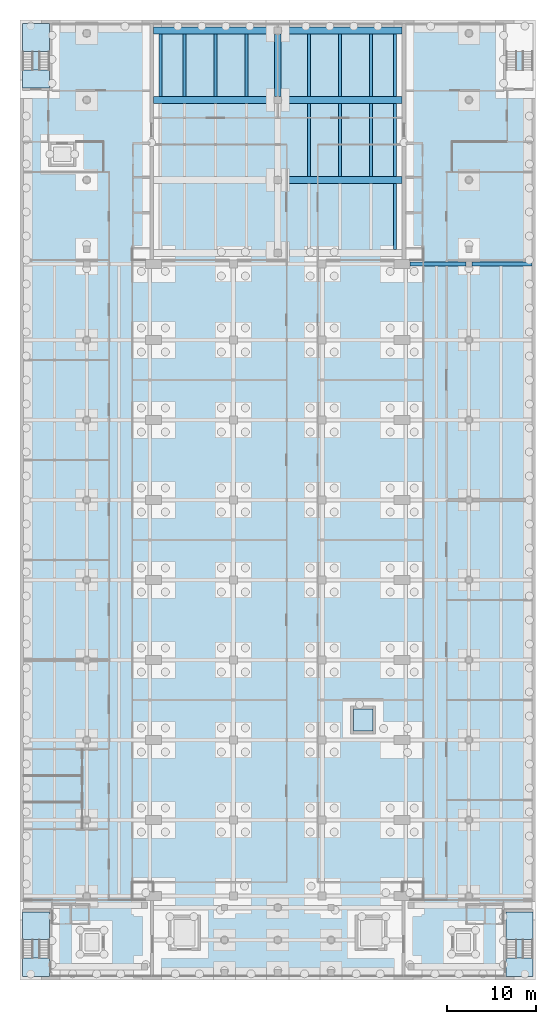
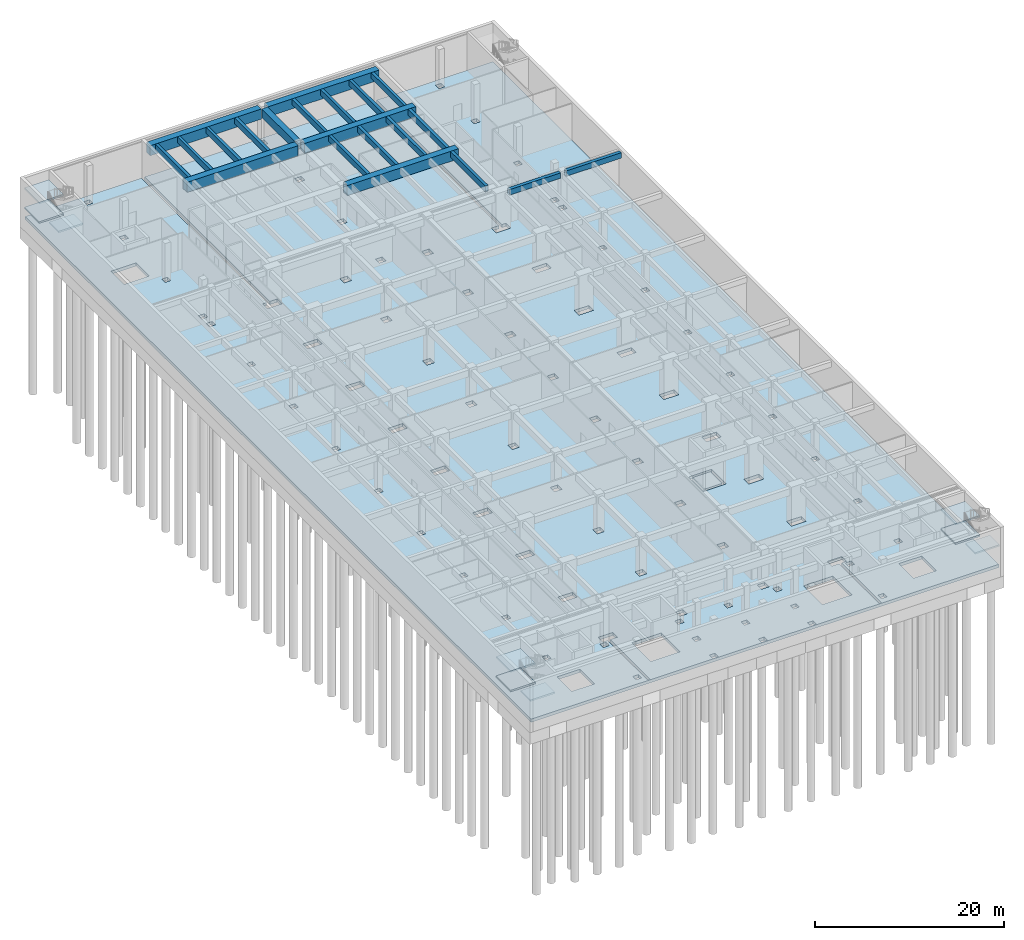
# One storey, part 6 of 19: 21 beams, 11 slabs, 3 elements without a shape of their own.
"""IFC4 building model written with IfcOpenShell, lengths in metres."""

from ifc_helpers import new_model, si_unit, direction, frame, origin, origin_2d, place, context, subcontext, project, spatial, polyline, rectangle, outline, extrude, material, layer, layer_set, material_profile, profile_set, type_object, element, aggregate, save


model = new_model("IFC4")

# Units and contexts
model_context = context("Model", 3, precision=1e-05, world=origin(), true_north=direction((0.0, 1.0)))
body_context = subcontext(model_context, "Body", "Model", "MODEL_VIEW")
ifc_project = project(units=[si_unit("LENGTHUNIT", "METRE"), si_unit("AREAUNIT", "SQUARE_METRE"), si_unit("VOLUMEUNIT", "CUBIC_METRE"), si_unit("PLANEANGLEUNIT", "RADIAN"), si_unit("MASSUNIT", "GRAM", prefix="KILO")], contexts=[model_context])

# Site, building, storey
site_placement = place(None, origin())
site = spatial("IfcSite", under=ifc_project, at=site_placement, CompositionType="ELEMENT")
building_placement = place(site_placement, origin())
building = spatial("IfcBuilding", under=site, at=building_placement, Name="Elmora Arch Market Hall", CompositionType="ELEMENT")
storey_placement = place(building_placement, frame((0.0, 0.0, -10.0)))
storey = spatial("IfcBuildingStorey", under=building, at=storey_placement, Name="B1", CompositionType="ELEMENT", Elevation=-10.0)

# Beams
ifc_material_1 = material(Name="Concrete C32/40", Category="concrete")
ifc_material_profile_1 = material_profile(ifc_material_1, rectangle(XDim=0.800048828125, YDim=1.300048828125, at=origin_2d()), Name="Bridge girder 800x1300")
ifc_profile_set_1 = profile_set([ifc_material_profile_1], Name="Concrete C32/40")
beam_type_1 = type_object("IfcBeamType", Name="Bridge girder 800x1300", PredefinedType="BEAM", material=ifc_profile_set_1)
for number, where, z_axis, x_axis, name in (
    (1, (29.39990234375, 108.0, 4.10009765625), (1.0, 0.0, 0.0), (0.0, 1.0, 0.0), "Bridge girder NR2 B1.2"),
    (2, (15.0, 117.0, 4.10009765625), (1.0, 0.0, 0.0), (0.0, 1.0, 0.0), "Bridge girder NR3 B1.1"),
    (3, (29.39990234375, 117.0, 4.10009765625), (1.0, 0.0, 0.0), (0.0, 1.0, 0.0), "Bridge girder NR3 B1.2"),
    (4, (15.0, 124.800048828125, 4.10009765625), (1.0, 0.0, 0.0), (0.0, 1.0, 0.0), "Bridge girder NR4 B1.1"),
    (5, (29.39990234375, 124.800048828125, 4.10009765625), (1.0, 0.0, 0.0), (0.0, 1.0, 0.0), "Bridge girder NR4 B1.2"),
):
    element("IfcBeam", number, at=place(storey_placement, frame(where, z_axis=z_axis, x_axis=x_axis)), inside=storey, type_object=beam_type_1, Name=name, PredefinedType="BEAM", context=body_context, shape_type="SweptSolid", body=[
        extrude(rectangle(XDim=0.800048828125, YDim=1.300048828125, at=origin_2d()), origin(), (0.0, 0.0, 1.0), 13.60009765625),
    ])
ifc_material_2 = material(Name="Concrete C32/40", Category="concrete")
ifc_material_profile_2 = material_profile(ifc_material_2, rectangle(XDim=0.35009765625, YDim=0.75, at=origin_2d()), Name="Bridge joist 350x750")
ifc_profile_set_2 = profile_set([ifc_material_profile_2], Name="Concrete C32/40")
beam_type_2 = type_object("IfcBeamType", Name="Bridge joist 350x750", PredefinedType="JOIST", material=ifc_profile_set_2)
for number, where, z_axis, x_axis, name in (
    (6, (15.800048828125, 117.39990234375, 4.375), (0.0, 1.0, 0.0), (-1.0, 0.0, 0.0), "Bridge joist NJ1 B1.3"),
    (7, (18.5, 117.39990234375, 4.375), (0.0, 1.0, 0.0), (-1.0, 0.0, 0.0), "Bridge joist NJ2 B1.3"),
    (8, (22.0, 117.39990234375, 4.375), (0.0, 1.0, 0.0), (-1.0, 0.0, 0.0), "Bridge joist NJ3 B1.3"),
    (9, (25.5, 117.39990234375, 4.375), (0.0, 1.0, 0.0), (-1.0, 0.0, 0.0), "Bridge joist NJ4 B1.3"),
):
    element("IfcBeam", number, at=place(storey_placement, frame(where, z_axis=z_axis, x_axis=x_axis)), inside=storey, type_object=beam_type_2, Name=name, PredefinedType="JOIST", context=body_context, shape_type="SweptSolid", body=[
        extrude(rectangle(XDim=0.35009765625, YDim=0.75, at=origin_2d()), origin(), (0.0, 0.0, 1.0), 7.0),
    ])
beam_1_placement = place(storey_placement, frame((32.5, 108.39990234375, 4.375), z_axis=(0.0, 1.0, 0.0), x_axis=(-1.0, 0.0, 0.0)))
element("IfcBeam", 10, at=beam_1_placement, inside=storey, type_object=beam_type_2, Name="Bridge joist NJ5 B1.2", PredefinedType="JOIST", context=body_context, shape_type="SweptSolid", body=[
    extrude(rectangle(XDim=0.35009765625, YDim=0.75, at=origin_2d()), origin(), (0.0, 0.0, 1.0), 8.2001953125),
])
beam_2_placement = place(storey_placement, frame((32.5, 117.39990234375, 4.375), z_axis=(0.0, 1.0, 0.0), x_axis=(-1.0, 0.0, 0.0)))
element("IfcBeam", 11, at=beam_2_placement, inside=storey, type_object=beam_type_2, Name="Bridge joist NJ5 B1.3", PredefinedType="JOIST", context=body_context, shape_type="SweptSolid", body=[
    extrude(rectangle(XDim=0.35009765625, YDim=0.75, at=origin_2d()), origin(), (0.0, 0.0, 1.0), 7.0),
])
beam_3_placement = place(storey_placement, frame((36.0, 108.39990234375, 4.375), z_axis=(0.0, 1.0, 0.0), x_axis=(-1.0, 0.0, 0.0)))
element("IfcBeam", 12, at=beam_3_placement, inside=storey, type_object=beam_type_2, Name="Bridge joist NJ6 B1.2", PredefinedType="JOIST", context=body_context, shape_type="SweptSolid", body=[
    extrude(rectangle(XDim=0.35009765625, YDim=0.75, at=origin_2d()), origin(), (0.0, 0.0, 1.0), 8.2001953125),
])
beam_4_placement = place(storey_placement, frame((36.0, 117.39990234375, 4.375), z_axis=(0.0, 1.0, 0.0), x_axis=(-1.0, 0.0, 0.0)))
element("IfcBeam", 13, at=beam_4_placement, inside=storey, type_object=beam_type_2, Name="Bridge joist NJ6 B1.3", PredefinedType="JOIST", context=body_context, shape_type="SweptSolid", body=[
    extrude(rectangle(XDim=0.35009765625, YDim=0.75, at=origin_2d()), origin(), (0.0, 0.0, 1.0), 7.0),
])
beam_5_placement = place(storey_placement, frame((39.5, 108.39990234375, 4.375), z_axis=(0.0, 1.0, 0.0), x_axis=(-1.0, 0.0, 0.0)))
element("IfcBeam", 14, at=beam_5_placement, inside=storey, type_object=beam_type_2, Name="Bridge joist NJ7 B1.2", PredefinedType="JOIST", context=body_context, shape_type="SweptSolid", body=[
    extrude(rectangle(XDim=0.35009765625, YDim=0.75, at=origin_2d()), origin(), (0.0, 0.0, 1.0), 8.2001953125),
])
beam_6_placement = place(storey_placement, frame((39.5, 117.39990234375, 4.375), z_axis=(0.0, 1.0, 0.0), x_axis=(-1.0, 0.0, 0.0)))
element("IfcBeam", 15, at=beam_6_placement, inside=storey, type_object=beam_type_2, Name="Bridge joist NJ7 B1.3", PredefinedType="JOIST", context=body_context, shape_type="SweptSolid", body=[
    extrude(rectangle(XDim=0.35009765625, YDim=0.75, at=origin_2d()), origin(), (0.0, 0.0, 1.0), 7.0),
])
beam_7_placement = place(storey_placement, frame((42.199951171875, 100.199951171875, 4.375), z_axis=(0.0, 1.0, 0.0), x_axis=(-1.0, 0.0, 0.0)))
element("IfcBeam", 16, at=beam_7_placement, inside=storey, type_object=beam_type_2, Name="Bridge joist NJ8 B1.1", PredefinedType="JOIST", context=body_context, shape_type="SweptSolid", body=[
    extrude(rectangle(XDim=0.35009765625, YDim=0.75, at=origin_2d()), origin(), (0.0, 0.0, 1.0), 7.400146484375),
])
beam_8_placement = place(storey_placement, frame((42.199951171875, 108.39990234375, 4.375), z_axis=(0.0, 1.0, 0.0), x_axis=(-1.0, 0.0, 0.0)))
element("IfcBeam", 17, at=beam_8_placement, inside=storey, type_object=beam_type_2, Name="Bridge joist NJ8 B1.2", PredefinedType="JOIST", context=body_context, shape_type="SweptSolid", body=[
    extrude(rectangle(XDim=0.35009765625, YDim=0.75, at=origin_2d()), origin(), (0.0, 0.0, 1.0), 8.2001953125),
])
beam_9_placement = place(storey_placement, frame((42.199951171875, 117.39990234375, 4.375), z_axis=(0.0, 1.0, 0.0), x_axis=(-1.0, 0.0, 0.0)))
element("IfcBeam", 18, at=beam_9_placement, inside=storey, type_object=beam_type_2, Name="Bridge joist NJ8 B1.3", PredefinedType="JOIST", context=body_context, shape_type="SweptSolid", body=[
    extrude(rectangle(XDim=0.35009765625, YDim=0.75, at=origin_2d()), origin(), (0.0, 0.0, 1.0), 7.0),
])
ifc_material_3 = material(Name="Concrete C32/40", Category="concrete")
ifc_material_profile_3 = material_profile(ifc_material_3, rectangle(XDim=0.699951171875, YDim=1.10009765625, at=origin_2d()), Name="Spine girder 700x1100")
ifc_profile_set_3 = profile_set([ifc_material_profile_3], Name="Concrete C32/40")
beam_type_3 = type_object("IfcBeamType", Name="Spine girder 700x1100", PredefinedType="BEAM", material=ifc_profile_set_3)
beam_10_placement = place(storey_placement, frame((29.0, 117.39990234375, 4.199951171875), z_axis=(0.0, 1.0, 0.0), x_axis=(-1.0, 0.0, 0.0)))
element("IfcBeam", 19, at=beam_10_placement, inside=storey, type_object=beam_type_3, Name="Spine girder NSP B1.3", PredefinedType="BEAM", context=body_context, shape_type="SweptSolid", body=[
    extrude(rectangle(XDim=0.699951171875, YDim=1.10009765625, at=origin_2d()), origin(), (0.0, 0.0, 1.0), 7.0),
])
ifc_material_4 = material(Name="Concrete C32/40", Category="concrete")
ifc_material_profile_4 = material_profile(ifc_material_4, rectangle(XDim=0.39990234375, YDim=0.699951171875, at=origin_2d()), Name="Wing beam 400x700")
ifc_profile_set_4 = profile_set([ifc_material_profile_4], Name="Concrete C32/40")
beam_type_4 = type_object("IfcBeamType", Name="Wing beam 400x700", PredefinedType="BEAM", material=ifc_profile_set_4)
beam_11_placement = place(storey_placement, frame((43.89990234375, 98.550048828125, 4.39990234375), z_axis=(1.0, 0.0, 0.0), x_axis=(0.0, 1.0, 0.0)))
element("IfcBeam", 20, at=beam_11_placement, inside=storey, type_object=beam_type_4, Name="Wing beam ER9 B1.1", PredefinedType="BEAM", context=body_context, shape_type="SweptSolid", body=[
    extrude(rectangle(XDim=0.39990234375, YDim=0.699951171875, at=origin_2d()), origin(), (0.0, 0.0, 1.0), 6.25),
])
beam_12_placement = place(storey_placement, frame((50.85009765625, 98.550048828125, 4.39990234375), z_axis=(1.0, 0.0, 0.0), x_axis=(0.0, 1.0, 0.0)))
element("IfcBeam", 21, at=beam_12_placement, inside=storey, type_object=beam_type_4, Name="Wing beam ER9 B1.2", PredefinedType="BEAM", context=body_context, shape_type="SweptSolid", body=[
    extrude(rectangle(XDim=0.39990234375, YDim=0.699951171875, at=origin_2d()), origin(), (0.0, 0.0, 1.0), 6.75),
])

# Slabs
ifc_material_5 = material(Name="Concrete C32/40", Category="concrete")
ifc_layer_1 = layer(ifc_material_5, 0.39990234375)
ifc_layer_set_1 = layer_set([ifc_layer_1], Name="Concrete C32/40")
slab_type_1 = type_object("IfcSlabType", Name="Ground slab 400", PredefinedType="BASESLAB", material=ifc_layer_set_1)
slab_1_placement = place(storey_placement, frame((0.0, 0.0, -0.39990234375)))
element("IfcSlab", 22, at=slab_1_placement, inside=storey, type_object=slab_type_1, Name="B1 slab on grade 1", PredefinedType="BASESLAB", context=body_context, shape_type="SweptSolid", body=[
    extrude(outline(polyline([(57.59912109375, 125.59912109375), (57.59912109375, 18.40087890625), (0.40087890625, 18.40087890625), (0.40087890625, 125.59912109375), (14.59912109375, 125.59912109375), (14.59912109375, 99.051025390625), (14.09912109375, 99.051025390625), (14.09912109375, 98.049072265625), (15.90087890625, 98.049072265625), (15.90087890625, 99.051025390625), (15.0009765625, 99.051025390625), (15.0009765625, 125.59912109375), (42.9990234375, 125.59912109375), (42.9990234375, 99.051025390625), (42.09912109375, 99.051025390625), (42.09912109375, 98.049072265625), (43.90087890625, 98.049072265625), (43.90087890625, 99.051025390625), (43.40087890625, 99.051025390625), (43.40087890625, 125.59912109375), (57.59912109375, 125.59912109375)]), holes=[polyline([(51.301025390625, 20.698974609375), (51.301025390625, 23.801025390625), (48.4990234375, 23.801025390625), (48.4990234375, 20.698974609375), (51.301025390625, 20.698974609375)]), polyline([(50.14892578125, 124.85107421875), (50.14892578125, 124.14892578125), (50.85107421875, 124.14892578125), (50.85107421875, 124.85107421875), (50.14892578125, 124.85107421875)]), polyline([(50.14892578125, 27.801025390625), (50.14892578125, 27.09912109375), (50.85107421875, 27.09912109375), (50.85107421875, 27.801025390625), (50.14892578125, 27.801025390625)]), polyline([(50.14892578125, 36.35107421875), (50.14892578125, 35.64892578125), (50.85107421875, 35.64892578125), (50.85107421875, 36.35107421875), (50.14892578125, 36.35107421875)]), polyline([(50.14892578125, 45.35107421875), (50.14892578125, 44.64892578125), (50.85107421875, 44.64892578125), (50.85107421875, 45.35107421875), (50.14892578125, 45.35107421875)]), polyline([(50.14892578125, 54.35107421875), (50.14892578125, 53.64892578125), (50.85107421875, 53.64892578125), (50.85107421875, 54.35107421875), (50.14892578125, 54.35107421875)]), polyline([(50.14892578125, 63.35107421875), (50.14892578125, 62.64892578125), (50.85107421875, 62.64892578125), (50.85107421875, 63.35107421875), (50.14892578125, 63.35107421875)]), polyline([(50.14892578125, 81.35107421875), (50.14892578125, 80.64892578125), (50.85107421875, 80.64892578125), (50.85107421875, 81.35107421875), (50.14892578125, 81.35107421875)]), polyline([(50.14892578125, 90.35107421875), (50.14892578125, 89.64892578125), (50.85107421875, 89.64892578125), (50.85107421875, 90.35107421875), (50.14892578125, 90.35107421875)]), polyline([(50.14892578125, 98.90087890625), (50.14892578125, 98.198974609375), (50.85107421875, 98.198974609375), (50.85107421875, 98.90087890625), (50.14892578125, 98.90087890625)]), polyline([(50.14892578125, 100.551025390625), (50.14892578125, 99.84912109375), (50.85107421875, 99.84912109375), (50.85107421875, 100.551025390625), (50.14892578125, 100.551025390625)]), polyline([(50.14892578125, 108.35107421875), (50.14892578125, 107.64892578125), (50.85107421875, 107.64892578125), (50.85107421875, 108.35107421875), (50.14892578125, 108.35107421875)]), polyline([(50.14892578125, 72.35107421875), (50.14892578125, 71.64892578125), (50.85107421875, 71.64892578125), (50.85107421875, 72.35107421875), (50.14892578125, 72.35107421875)]), polyline([(50.14892578125, 117.35107421875), (50.14892578125, 116.64892578125), (50.85107421875, 116.64892578125), (50.85107421875, 117.35107421875), (50.14892578125, 117.35107421875)]), polyline([(43.64892578125, 19.14892578125), (44.35107421875, 19.14892578125), (44.35107421875, 19.85107421875), (43.64892578125, 19.85107421875), (43.64892578125, 19.14892578125)]), polyline([(43.64892578125, 26.049072265625), (44.35107421875, 26.049072265625), (44.35107421875, 26.7509765625), (43.64892578125, 26.7509765625), (43.64892578125, 26.049072265625)]), polyline([(42.09912109375, 54.5009765625), (42.09912109375, 53.4990234375), (43.90087890625, 53.4990234375), (43.90087890625, 54.5009765625), (42.09912109375, 54.5009765625)]), polyline([(42.09912109375, 62.4990234375), (43.90087890625, 62.4990234375), (43.90087890625, 63.5009765625), (42.09912109375, 63.5009765625), (42.09912109375, 62.4990234375)]), polyline([(42.09912109375, 27.950927734375), (42.09912109375, 26.948974609375), (42.9990234375, 26.948974609375), (42.9990234375, 18.448974609375), (43.301025390625, 18.448974609375), (43.301025390625, 26.948974609375), (43.90087890625, 26.948974609375), (43.90087890625, 27.950927734375), (42.09912109375, 27.950927734375)]), polyline([(42.09912109375, 36.5009765625), (42.09912109375, 35.4990234375), (43.90087890625, 35.4990234375), (43.90087890625, 36.5009765625), (42.09912109375, 36.5009765625)]), polyline([(42.09912109375, 45.5009765625), (42.09912109375, 44.4990234375), (43.90087890625, 44.4990234375), (43.90087890625, 45.5009765625), (42.09912109375, 45.5009765625)]), polyline([(42.09912109375, 72.5009765625), (42.09912109375, 71.4990234375), (43.90087890625, 71.4990234375), (43.90087890625, 72.5009765625), (42.09912109375, 72.5009765625)]), polyline([(42.09912109375, 81.5009765625), (42.09912109375, 80.4990234375), (43.90087890625, 80.4990234375), (43.90087890625, 81.5009765625), (42.09912109375, 81.5009765625)]), polyline([(42.09912109375, 90.5009765625), (42.09912109375, 89.4990234375), (43.90087890625, 89.4990234375), (43.90087890625, 90.5009765625), (42.09912109375, 90.5009765625)]), polyline([(41.301025390625, 21.299072265625), (41.301025390625, 25.301025390625), (37.698974609375, 25.301025390625), (37.698974609375, 21.299072265625), (41.301025390625, 21.299072265625)]), polyline([(37.198974609375, 48.801025390625), (37.198974609375, 45.698974609375), (40.0009765625, 45.698974609375), (40.0009765625, 48.801025390625), (37.198974609375, 48.801025390625)]), polyline([(34.64892578125, 26.5009765625), (34.64892578125, 25.799072265625), (35.35107421875, 25.799072265625), (35.35107421875, 26.5009765625), (34.64892578125, 26.5009765625)]), polyline([(34.64892578125, 22.85107421875), (34.64892578125, 22.14892578125), (35.35107421875, 22.14892578125), (35.35107421875, 22.85107421875), (34.64892578125, 22.85107421875)]), polyline([(34.64892578125, 19.200927734375), (34.64892578125, 18.4990234375), (35.35107421875, 18.4990234375), (35.35107421875, 19.200927734375), (34.64892578125, 19.200927734375)]), polyline([(33.549072265625, 99.0009765625), (33.549072265625, 98.09912109375), (34.450927734375, 98.09912109375), (34.450927734375, 99.0009765625), (33.549072265625, 99.0009765625)]), polyline([(33.549072265625, 90.450927734375), (33.549072265625, 89.549072265625), (34.450927734375, 89.549072265625), (34.450927734375, 90.450927734375), (33.549072265625, 90.450927734375)]), polyline([(33.549072265625, 81.450927734375), (33.549072265625, 80.549072265625), (34.450927734375, 80.549072265625), (34.450927734375, 81.450927734375), (33.549072265625, 81.450927734375)]), polyline([(33.549072265625, 72.450927734375), (33.549072265625, 71.549072265625), (34.450927734375, 71.549072265625), (34.450927734375, 72.450927734375), (33.549072265625, 72.450927734375)]), polyline([(33.549072265625, 63.450927734375), (33.549072265625, 62.549072265625), (34.450927734375, 62.549072265625), (34.450927734375, 63.450927734375), (33.549072265625, 63.450927734375)]), polyline([(33.549072265625, 54.450927734375), (33.549072265625, 53.549072265625), (34.450927734375, 53.549072265625), (34.450927734375, 54.450927734375), (33.549072265625, 54.450927734375)]), polyline([(33.549072265625, 45.450927734375), (33.549072265625, 44.549072265625), (34.450927734375, 44.549072265625), (34.450927734375, 45.450927734375), (33.549072265625, 45.450927734375)]), polyline([(33.549072265625, 27.90087890625), (33.549072265625, 26.9990234375), (34.450927734375, 26.9990234375), (34.450927734375, 27.90087890625), (33.549072265625, 27.90087890625)]), polyline([(33.549072265625, 35.549072265625), (34.450927734375, 35.549072265625), (34.450927734375, 36.450927734375), (33.549072265625, 36.450927734375), (33.549072265625, 35.549072265625)]), polyline([(28.59912109375, 125.200927734375), (28.59912109375, 124.39892578125), (29.40087890625, 124.39892578125), (29.40087890625, 125.200927734375), (28.59912109375, 125.200927734375)]), polyline([(28.59912109375, 117.40087890625), (28.59912109375, 116.59912109375), (29.40087890625, 116.59912109375), (29.40087890625, 117.40087890625), (28.59912109375, 117.40087890625)]), polyline([(28.59912109375, 108.40087890625), (28.59912109375, 107.59912109375), (29.40087890625, 107.59912109375), (29.40087890625, 108.40087890625), (28.59912109375, 108.40087890625)]), polyline([(28.59912109375, 100.200927734375), (28.59912109375, 99.39892578125), (29.40087890625, 99.39892578125), (29.40087890625, 100.200927734375), (28.59912109375, 100.200927734375)]), polyline([(28.64892578125, 26.5009765625), (28.64892578125, 25.799072265625), (29.35107421875, 25.799072265625), (29.35107421875, 26.5009765625), (28.64892578125, 26.5009765625)]), polyline([(28.64892578125, 18.4990234375), (29.35107421875, 18.4990234375), (29.35107421875, 19.200927734375), (28.64892578125, 19.200927734375), (28.64892578125, 18.4990234375)]), polyline([(28.64892578125, 22.85107421875), (28.64892578125, 22.14892578125), (29.35107421875, 22.14892578125), (29.35107421875, 22.85107421875), (28.64892578125, 22.85107421875)]), polyline([(23.549072265625, 99.0009765625), (23.549072265625, 98.09912109375), (24.450927734375, 98.09912109375), (24.450927734375, 99.0009765625), (23.549072265625, 99.0009765625)]), polyline([(23.549072265625, 27.90087890625), (23.549072265625, 26.9990234375), (24.450927734375, 26.9990234375), (24.450927734375, 27.90087890625), (23.549072265625, 27.90087890625)]), polyline([(23.549072265625, 36.450927734375), (23.549072265625, 35.549072265625), (24.450927734375, 35.549072265625), (24.450927734375, 36.450927734375), (23.549072265625, 36.450927734375)]), polyline([(23.549072265625, 45.450927734375), (23.549072265625, 44.549072265625), (24.450927734375, 44.549072265625), (24.450927734375, 45.450927734375), (23.549072265625, 45.450927734375)]), polyline([(23.549072265625, 54.450927734375), (23.549072265625, 53.549072265625), (24.450927734375, 53.549072265625), (24.450927734375, 54.450927734375), (23.549072265625, 54.450927734375)]), polyline([(23.549072265625, 63.450927734375), (23.549072265625, 62.549072265625), (24.450927734375, 62.549072265625), (24.450927734375, 63.450927734375), (23.549072265625, 63.450927734375)]), polyline([(23.549072265625, 72.450927734375), (23.549072265625, 71.549072265625), (24.450927734375, 71.549072265625), (24.450927734375, 72.450927734375), (23.549072265625, 72.450927734375)]), polyline([(23.549072265625, 81.450927734375), (23.549072265625, 80.549072265625), (24.450927734375, 80.549072265625), (24.450927734375, 81.450927734375), (23.549072265625, 81.450927734375)]), polyline([(23.549072265625, 90.450927734375), (23.549072265625, 89.549072265625), (24.450927734375, 89.549072265625), (24.450927734375, 90.450927734375), (23.549072265625, 90.450927734375)]), polyline([(22.64892578125, 26.5009765625), (22.64892578125, 25.799072265625), (23.35107421875, 25.799072265625), (23.35107421875, 26.5009765625), (22.64892578125, 26.5009765625)]), polyline([(22.64892578125, 22.85107421875), (22.64892578125, 22.14892578125), (23.35107421875, 22.14892578125), (23.35107421875, 22.85107421875), (22.64892578125, 22.85107421875)]), polyline([(22.64892578125, 19.200927734375), (22.64892578125, 18.4990234375), (23.35107421875, 18.4990234375), (23.35107421875, 19.200927734375), (22.64892578125, 19.200927734375)]), polyline([(16.698974609375, 25.301025390625), (16.698974609375, 21.299072265625), (20.301025390625, 21.299072265625), (20.301025390625, 25.301025390625), (16.698974609375, 25.301025390625)]), polyline([(14.698974609375, 26.948974609375), (14.698974609375, 18.448974609375), (15.0009765625, 18.448974609375), (15.0009765625, 26.948974609375), (15.90087890625, 26.948974609375), (15.90087890625, 27.950927734375), (14.09912109375, 27.950927734375), (14.09912109375, 26.948974609375), (14.698974609375, 26.948974609375)]), polyline([(14.09912109375, 53.4990234375), (15.90087890625, 53.4990234375), (15.90087890625, 54.5009765625), (14.09912109375, 54.5009765625), (14.09912109375, 53.4990234375)]), polyline([(14.09912109375, 36.5009765625), (14.09912109375, 35.4990234375), (15.90087890625, 35.4990234375), (15.90087890625, 36.5009765625), (14.09912109375, 36.5009765625)]), polyline([(14.09912109375, 45.5009765625), (14.09912109375, 44.4990234375), (15.90087890625, 44.4990234375), (15.90087890625, 45.5009765625), (14.09912109375, 45.5009765625)]), polyline([(14.09912109375, 72.5009765625), (14.09912109375, 71.4990234375), (15.90087890625, 71.4990234375), (15.90087890625, 72.5009765625), (14.09912109375, 72.5009765625)]), polyline([(14.09912109375, 81.5009765625), (14.09912109375, 80.4990234375), (15.90087890625, 80.4990234375), (15.90087890625, 81.5009765625), (14.09912109375, 81.5009765625)]), polyline([(14.09912109375, 90.5009765625), (14.09912109375, 89.4990234375), (15.90087890625, 89.4990234375), (15.90087890625, 90.5009765625), (14.09912109375, 90.5009765625)]), polyline([(14.09912109375, 63.5009765625), (14.09912109375, 62.4990234375), (15.90087890625, 62.4990234375), (15.90087890625, 63.5009765625), (14.09912109375, 63.5009765625)]), polyline([(13.64892578125, 26.049072265625), (14.35107421875, 26.049072265625), (14.35107421875, 26.7509765625), (13.64892578125, 26.7509765625), (13.64892578125, 26.049072265625)]), polyline([(13.64892578125, 19.14892578125), (14.35107421875, 19.14892578125), (14.35107421875, 19.85107421875), (13.64892578125, 19.85107421875), (13.64892578125, 19.14892578125)]), polyline([(9.5009765625, 20.698974609375), (9.5009765625, 23.801025390625), (6.698974609375, 23.801025390625), (6.698974609375, 20.698974609375), (9.5009765625, 20.698974609375)]), polyline([(7.14892578125, 98.90087890625), (7.14892578125, 98.198974609375), (7.85107421875, 98.198974609375), (7.85107421875, 98.90087890625), (7.14892578125, 98.90087890625)]), polyline([(7.14892578125, 27.801025390625), (7.14892578125, 27.09912109375), (7.85107421875, 27.09912109375), (7.85107421875, 27.801025390625), (7.14892578125, 27.801025390625)]), polyline([(7.14892578125, 36.35107421875), (7.14892578125, 35.64892578125), (7.85107421875, 35.64892578125), (7.85107421875, 36.35107421875), (7.14892578125, 36.35107421875)]), polyline([(7.14892578125, 45.35107421875), (7.14892578125, 44.64892578125), (7.85107421875, 44.64892578125), (7.85107421875, 45.35107421875), (7.14892578125, 45.35107421875)]), polyline([(7.14892578125, 54.35107421875), (7.14892578125, 53.64892578125), (7.85107421875, 53.64892578125), (7.85107421875, 54.35107421875), (7.14892578125, 54.35107421875)]), polyline([(7.14892578125, 63.35107421875), (7.14892578125, 62.64892578125), (7.85107421875, 62.64892578125), (7.85107421875, 63.35107421875), (7.14892578125, 63.35107421875)]), polyline([(7.14892578125, 72.35107421875), (7.14892578125, 71.64892578125), (7.85107421875, 71.64892578125), (7.85107421875, 72.35107421875), (7.14892578125, 72.35107421875)]), polyline([(7.14892578125, 81.35107421875), (7.14892578125, 80.64892578125), (7.85107421875, 80.64892578125), (7.85107421875, 81.35107421875), (7.14892578125, 81.35107421875)]), polyline([(7.14892578125, 90.35107421875), (7.14892578125, 89.64892578125), (7.85107421875, 89.64892578125), (7.85107421875, 90.35107421875), (7.14892578125, 90.35107421875)]), polyline([(7.14892578125, 100.551025390625), (7.14892578125, 99.84912109375), (7.85107421875, 99.84912109375), (7.85107421875, 100.551025390625), (7.14892578125, 100.551025390625)]), polyline([(7.14892578125, 108.35107421875), (7.14892578125, 107.64892578125), (7.85107421875, 107.64892578125), (7.85107421875, 108.35107421875), (7.14892578125, 108.35107421875)]), polyline([(7.14892578125, 117.35107421875), (7.14892578125, 116.64892578125), (7.85107421875, 116.64892578125), (7.85107421875, 117.35107421875), (7.14892578125, 117.35107421875)]), polyline([(7.14892578125, 124.85107421875), (7.14892578125, 124.14892578125), (7.85107421875, 124.14892578125), (7.85107421875, 124.85107421875), (7.14892578125, 124.85107421875)]), polyline([(6.301025390625, 109.4990234375), (6.301025390625, 112.301025390625), (3.198974609375, 112.301025390625), (3.198974609375, 109.4990234375), (6.301025390625, 109.4990234375)])]), origin(), (0.0, 0.0, 1.0), 0.39990234375),
])
slab_2_placement = place(storey_placement, frame((0.0, 0.0, -0.39990234375)))
element("IfcSlab", 23, at=slab_2_placement, inside=storey, type_object=slab_type_1, Name="B1 slab on grade 2", PredefinedType="BASESLAB", context=body_context, shape_type="SweptSolid", body=[
    extrude(outline(polyline([(37.5009765625, 46.0009765625), (37.5009765625, 48.4990234375), (39.698974609375, 48.4990234375), (39.698974609375, 46.0009765625), (37.5009765625, 46.0009765625)])), origin(), (0.0, 0.0, 1.0), 0.39990234375),
])

# Stair, slabs
ifc_material_6 = material(Name="Concrete C40/50", Category="concrete")
stair_type = type_object("IfcStairType", Name="Exit stair 1200", PredefinedType="TWO_STRAIGHT_RUN_STAIR", material=ifc_material_6)
stair_1_placement = place(storey_placement, origin())
stair_1 = element("IfcStair", 24, at=stair_1_placement, inside=storey, type_object=stair_type, Name="Stair ST-W B1", PredefinedType="TWO_STRAIGHT_RUN_STAIR")
ifc_material_7 = material(Name="Concrete C32/40", Category="concrete")
ifc_layer_2 = layer(ifc_material_7, 0.199951171875)
ifc_layer_set_2 = layer_set([ifc_layer_2], Name="Concrete C32/40")
slab_type_2 = type_object("IfcSlabType", Name="Stair landing 200", PredefinedType="LANDING", material=ifc_layer_set_2)
slab_3_placement = place(storey_placement, frame((0.0, 0.0, 1.050048828125)))
slab_3 = element("IfcSlab", 25, at=slab_3_placement, type_object=slab_type_2, Name="Stair ST-W B1 landing 1", PredefinedType="LANDING", context=body_context, shape_type="SweptSolid", body=[
    extrude(outline(polyline([(0.300048828125, 122.449951171875), (3.300048828125, 122.449951171875), (3.300048828125, 125.60009765625), (0.300048828125, 125.60009765625), (0.300048828125, 122.449951171875)])), origin(), (0.0, 0.0, 1.0), 0.199951171875),
])
slab_4_placement = place(storey_placement, frame((0.0, 0.0, 2.300048828125)))
slab_4 = element("IfcSlab", 26, at=slab_4_placement, type_object=slab_type_2, Name="Stair ST-W B1 landing 2", PredefinedType="LANDING", context=body_context, shape_type="SweptSolid", body=[
    extrude(outline(polyline([(0.300048828125, 118.35009765625), (3.300048828125, 118.35009765625), (3.300048828125, 120.35009765625), (0.300048828125, 120.35009765625), (0.300048828125, 118.35009765625)])), origin(), (0.0, 0.0, 1.0), 0.199951171875),
])
slab_5_placement = place(storey_placement, frame((0.0, 0.0, 3.550048828125)))
slab_5 = element("IfcSlab", 27, at=slab_5_placement, type_object=slab_type_2, Name="Stair ST-W B1 landing 3", PredefinedType="LANDING", context=body_context, shape_type="SweptSolid", body=[
    extrude(outline(polyline([(0.300048828125, 122.449951171875), (3.300048828125, 122.449951171875), (3.300048828125, 125.60009765625), (0.300048828125, 125.60009765625), (0.300048828125, 122.449951171875)])), origin(), (0.0, 0.0, 1.0), 0.199951171875),
])
aggregate(stair_1, [slab_3, slab_4, slab_5])

stair_2_placement = place(storey_placement, origin())
stair_2 = element("IfcStair", 28, at=stair_2_placement, inside=storey, type_object=stair_type, Name="Stair ST-WS B1", PredefinedType="TWO_STRAIGHT_RUN_STAIR")
slab_6_placement = place(storey_placement, frame((0.0, 0.0, 1.050048828125)))
slab_6 = element("IfcSlab", 29, at=slab_6_placement, type_object=slab_type_2, Name="Stair ST-WS B1 landing 1", PredefinedType="LANDING", context=body_context, shape_type="SweptSolid", body=[
    extrude(outline(polyline([(0.300048828125, 22.550048828125), (3.300048828125, 22.550048828125), (3.300048828125, 25.64990234375), (0.300048828125, 25.64990234375), (0.300048828125, 22.550048828125)])), origin(), (0.0, 0.0, 1.0), 0.199951171875),
])
slab_7_placement = place(storey_placement, frame((0.0, 0.0, 2.300048828125)))
slab_7 = element("IfcSlab", 30, at=slab_7_placement, type_object=slab_type_2, Name="Stair ST-WS B1 landing 2", PredefinedType="LANDING", context=body_context, shape_type="SweptSolid", body=[
    extrude(outline(polyline([(0.300048828125, 18.39990234375), (3.300048828125, 18.39990234375), (3.300048828125, 20.449951171875), (0.300048828125, 20.449951171875), (0.300048828125, 18.39990234375)])), origin(), (0.0, 0.0, 1.0), 0.199951171875),
])
slab_8_placement = place(storey_placement, frame((0.0, 0.0, 3.550048828125)))
slab_8 = element("IfcSlab", 31, at=slab_8_placement, type_object=slab_type_2, Name="Stair ST-WS B1 landing 3", PredefinedType="LANDING", context=body_context, shape_type="SweptSolid", body=[
    extrude(outline(polyline([(0.300048828125, 22.550048828125), (3.300048828125, 22.550048828125), (3.300048828125, 25.64990234375), (0.300048828125, 25.64990234375), (0.300048828125, 22.550048828125)])), origin(), (0.0, 0.0, 1.0), 0.199951171875),
])
aggregate(stair_2, [slab_6, slab_7, slab_8])

stair_3_placement = place(storey_placement, origin())
stair_3 = element("IfcStair", 32, at=stair_3_placement, inside=storey, type_object=stair_type, Name="Stair ST-ES B1", PredefinedType="TWO_STRAIGHT_RUN_STAIR")
slab_9_placement = place(storey_placement, frame((0.0, 0.0, 1.050048828125)))
slab_9 = element("IfcSlab", 33, at=slab_9_placement, type_object=slab_type_2, Name="Stair ST-ES B1 landing 1", PredefinedType="LANDING", context=body_context, shape_type="SweptSolid", body=[
    extrude(outline(polyline([(54.699951171875, 22.550048828125), (57.699951171875, 22.550048828125), (57.699951171875, 25.64990234375), (54.699951171875, 25.64990234375), (54.699951171875, 22.550048828125)])), origin(), (0.0, 0.0, 1.0), 0.199951171875),
])
slab_10_placement = place(storey_placement, frame((0.0, 0.0, 2.300048828125)))
slab_10 = element("IfcSlab", 34, at=slab_10_placement, type_object=slab_type_2, Name="Stair ST-ES B1 landing 2", PredefinedType="LANDING", context=body_context, shape_type="SweptSolid", body=[
    extrude(outline(polyline([(54.699951171875, 18.39990234375), (57.699951171875, 18.39990234375), (57.699951171875, 20.449951171875), (54.699951171875, 20.449951171875), (54.699951171875, 18.39990234375)])), origin(), (0.0, 0.0, 1.0), 0.199951171875),
])
slab_11_placement = place(storey_placement, frame((0.0, 0.0, 3.550048828125)))
slab_11 = element("IfcSlab", 35, at=slab_11_placement, type_object=slab_type_2, Name="Stair ST-ES B1 landing 3", PredefinedType="LANDING", context=body_context, shape_type="SweptSolid", body=[
    extrude(outline(polyline([(54.699951171875, 22.550048828125), (57.699951171875, 22.550048828125), (57.699951171875, 25.64990234375), (54.699951171875, 25.64990234375), (54.699951171875, 22.550048828125)])), origin(), (0.0, 0.0, 1.0), 0.199951171875),
])
aggregate(stair_3, [slab_9, slab_10, slab_11])

save(model, "model.ifc")
